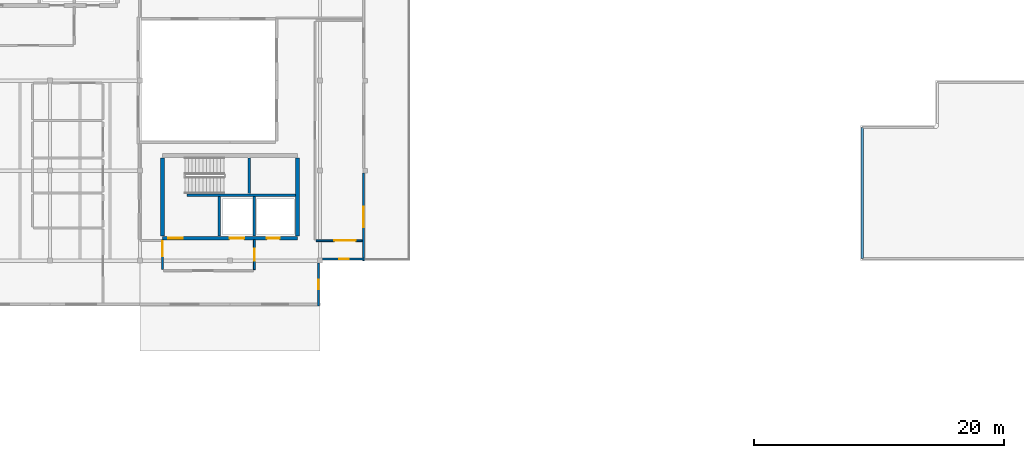
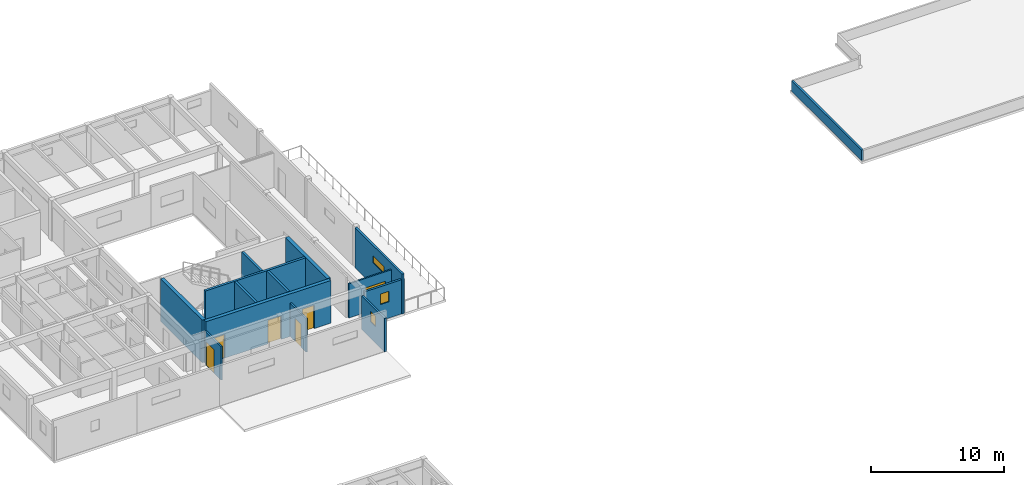
# One storey, part 4 of 12: 14 walls, 6 doors, 3 windows, 9 openings.
"""IFC4 building model written with IfcOpenShell, lengths in metres."""

from ifc_helpers import new_model, si_unit, direction, frame, frame_2d, origin, place, context, subcontext, project, spatial, rectangle, extrude, material, layer, layer_set, type_object, element, fill, save


model = new_model("IFC4")

# Units and contexts
model_context = context("Model", 3, precision=1e-05, world=origin(), true_north=direction((0.0, 1.0)))
body_context = subcontext(model_context, "Body", "Model", "MODEL_VIEW")
ifc_project = project(units=[si_unit("LENGTHUNIT", "METRE"), si_unit("AREAUNIT", "SQUARE_METRE"), si_unit("VOLUMEUNIT", "CUBIC_METRE"), si_unit("PLANEANGLEUNIT", "RADIAN"), si_unit("MASSUNIT", "GRAM", prefix="KILO")], contexts=[model_context])

# Site, building, storey
site_placement = place(None, origin())
site = spatial("IfcSite", under=ifc_project, at=site_placement, CompositionType="ELEMENT")
building_placement = place(site_placement, origin())
building = spatial("IfcBuilding", under=site, at=building_placement, Name="Bramvelor Terrace Health Centre", CompositionType="ELEMENT")
storey_placement = place(building_placement, frame((0.0, 0.0, 17.699951171875)))
storey = spatial("IfcBuildingStorey", under=building, at=storey_placement, Name="L05", CompositionType="ELEMENT", Elevation=17.699951171875)

# Wall, opening, door
ifc_material_1 = material(Name="Fire-rated gypsum and mineral wool", Category="gypsum")
ifc_layer_1 = layer(ifc_material_1, 0.139892578125)
ifc_layer_set_1 = layer_set([ifc_layer_1], Name="Fire-rated gypsum and mineral wool")
wall_type_1 = type_object("IfcWallType", Name="WL-COR-140", PredefinedType="PARTITIONING", material=ifc_layer_set_1)
wall_1_placement = place(storey_placement, frame((32.16748046875, 88.001953125, 0.0), z_axis=(0.0, 0.0, 1.0), x_axis=(-1.0, 0.0, 0.0)))
wall_1 = element("IfcWall", 1, at=wall_1_placement, inside=storey, type_object=wall_type_1, Name="L05 Interior Partition 342", PredefinedType="PARTITIONING", context=body_context, shape_type="SweptSolid", body=[
    extrude(rectangle(XDim=3.675537109375, YDim=0.139892578125, at=frame_2d((1.837890625, 0.0))), origin(), (0.0, 0.0, 1.0), 3.130126953125),
])
opening_1_placement = place(wall_1_placement, frame((0.527587890625, 0.0, 0.0)))
opening_1 = element("IfcOpeningElement", 2, at=opening_1_placement, cuts=wall_1, Name="Opening FD-04", PredefinedType="OPENING", context=body_context, shape_type="SweptSolid", body=[
    extrude(rectangle(XDim=1.719970703125, YDim=2.260009765625, at=frame_2d((0.85986328125, 1.1298828125))), frame((0.0, 0.079833984375, 0.0), z_axis=(0.0, -1.0, 0.0), x_axis=(1.0, 0.0, 0.0)), (0.0, 0.0, 1.0), 0.159912109375),
])
ifc_material_2 = material(Name="Fire-rated steel and vision panel", Category="steel")
door_type_1 = type_object("IfcDoorType", Name="DR-FD90-172", OperationType="DOUBLE_DOOR_SINGLE_SWING", PredefinedType="DOOR", material=ifc_material_2)
door_1_placement = place(opening_1_placement, origin())
door_1 = element("IfcDoor", 3, at=door_1_placement, inside=storey, type_object=door_type_1, Name="L05 Step-3 Terrace Wellness Lounge Fire Door", OperationType="DOUBLE_DOOR_SINGLE_SWING", OverallHeight=2.260009765625, OverallWidth=1.719970703125, PredefinedType="DOOR", context=body_context, shape_type="SweptSolid", body=[
    extrude(rectangle(XDim=1.719970703125, YDim=2.260009765625, at=frame_2d((0.85986328125, 1.1298828125))), frame((0.0, 0.02490234375, 0.0), z_axis=(0.0, -1.0, 0.0), x_axis=(1.0, 0.0, 0.0)), (0.0, 0.0, 1.0), 0.050048828125),
])
fill(opening_1, door_1)

# Walls
ifc_material_3 = material(Name="Concrete C40/50", Category="concrete")
ifc_layer_2 = layer(ifc_material_3, 0.199951171875)
ifc_layer_set_2 = layer_set([ifc_layer_2], Name="Concrete C40/50")
wall_type_2 = type_object("IfcWallType", Name="WL-CORE-200", PredefinedType="SHEAR", material=ifc_layer_set_2)
wall_2_placement = place(storey_placement, frame((18.14990234375, 91.64990234375, 0.0), z_axis=(0.0, 0.0, 1.0), x_axis=(1.0, 0.0, 0.0)))
element("IfcWall", 4, at=wall_2_placement, inside=storey, type_object=wall_type_2, Name="C2 L05 Core Shear Wall", PredefinedType="SHEAR", context=body_context, shape_type="SweptSolid", body=[
    extrude(rectangle(XDim=8.670166015625, YDim=0.199951171875, at=frame_2d((4.3349609375, 0.0))), origin(), (0.0, 0.0, 1.0), 3.900146484375),
])
wall_3_placement = place(storey_placement, frame((23.155029296875, 91.77001953125, 0.0), z_axis=(0.0, 0.0, 1.0), x_axis=(0.0, 1.0, 0.0)))
element("IfcWall", 5, at=wall_3_placement, inside=storey, type_object=wall_type_2, Name="C2 L05 Core Shear Wall", PredefinedType="SHEAR", context=body_context, shape_type="SweptSolid", body=[
    extrude(rectangle(XDim=2.85009765625, YDim=0.199951171875, at=frame_2d((1.425048828125, 0.0))), origin(), (0.0, 0.0, 1.0), 3.900146484375),
])
for number, where, z_axis, x_axis, name in (
    (6, (20.75, 88.3798828125, 0.0), (0.0, 0.0, 1.0), (0.0, 1.0, 0.0), "C2 L05 Core Shear Wall"),
    (7, (23.550048828125, 88.3798828125, 0.0), (0.0, 0.0, 1.0), (0.0, 1.0, 0.0), "C2 L05 Lift Divider Wall"),
):
    element("IfcWall", number, at=place(storey_placement, frame(where, z_axis=z_axis, x_axis=x_axis)), inside=storey, type_object=wall_type_2, Name=name, PredefinedType="SHEAR", context=body_context, shape_type="SweptSolid", body=[
        extrude(rectangle(XDim=3.150146484375, YDim=0.199951171875, at=frame_2d((1.5751953125, 0.0))), origin(), (0.0, 0.0, 1.0), 3.900146484375),
    ])

# Wall, openings, doors
ifc_material_4 = material(Name="Concrete C40/50", Category="concrete")
ifc_layer_3 = layer(ifc_material_4, 0.300048828125)
ifc_layer_set_3 = layer_set([ifc_layer_3], Name="Concrete C40/50")
wall_type_3 = type_object("IfcWallType", Name="WL-CORE-300", PredefinedType="SHEAR", material=ifc_layer_set_3)
wall_4_placement = place(storey_placement, frame((16.199951171875, 88.199951171875, 0.0), z_axis=(0.0, 0.0, 1.0), x_axis=(1.0, 0.0, 0.0)))
wall_4 = element("IfcWall", 8, at=wall_4_placement, inside=storey, type_object=wall_type_3, Name="C2 L05 Core Shear Wall", PredefinedType="SHEAR", context=body_context, shape_type="SweptSolid", body=[
    extrude(rectangle(XDim=10.800048828125, YDim=0.300048828125, at=frame_2d((5.39990234375, 0.0))), origin(), (0.0, 0.0, 1.0), 3.900146484375),
])
opening_2_placement = place(wall_4_placement, frame((0.449951171875, 0.0, 0.0)))
opening_2 = element("IfcOpeningElement", 9, at=opening_2_placement, cuts=wall_4, Name="Opening FD-02", PredefinedType="OPENING", context=body_context, shape_type="SweptSolid", body=[
    extrude(rectangle(XDim=1.179931640625, YDim=2.159912109375, at=frame_2d((0.58984375, 1.080078125))), frame((0.0, 0.159912109375, 0.0), z_axis=(0.0, -1.0, 0.0), x_axis=(1.0, 0.0, 0.0)), (0.0, 0.0, 1.0), 0.320068359375),
])
opening_3_placement = place(wall_4_placement, frame((5.375, 0.0, 0.0)))
opening_3 = element("IfcOpeningElement", 10, at=opening_3_placement, cuts=wall_4, Name="Opening LD-1", PredefinedType="OPENING", context=body_context, shape_type="SweptSolid", body=[
    extrude(rectangle(XDim=1.14990234375, YDim=2.14990234375, at=frame_2d((0.574951171875, 1.074951171875))), frame((0.0, 0.159912109375, 0.0), z_axis=(0.0, -1.0, 0.0), x_axis=(1.0, 0.0, 0.0)), (0.0, 0.0, 1.0), 0.320068359375),
])
opening_4_placement = place(wall_4_placement, frame((8.340087890625, 0.0, 0.0)))
opening_4 = element("IfcOpeningElement", 11, at=opening_4_placement, cuts=wall_4, Name="Opening LD-2", PredefinedType="OPENING", context=body_context, shape_type="SweptSolid", body=[
    extrude(rectangle(XDim=1.02001953125, YDim=2.1201171875, at=frame_2d((0.510009765625, 1.06005859375))), frame((0.0, 0.159912109375, 0.0), z_axis=(0.0, -1.0, 0.0), x_axis=(1.0, 0.0, 0.0)), (0.0, 0.0, 1.0), 0.320068359375),
])
ifc_material_5 = material(Name="Fire-rated steel and vision panel", Category="steel")
door_type_2 = type_object("IfcDoorType", Name="DR-FD90-118", OperationType="NOTDEFINED", PredefinedType="DOOR", material=ifc_material_5)
door_2_placement = place(opening_2_placement, origin())
door_2 = element("IfcDoor", 12, at=door_2_placement, inside=storey, type_object=door_type_2, Name="C2 L05 Core Stair Fire Door", OperationType="SINGLE_SWING_LEFT", OverallHeight=2.159912109375, OverallWidth=1.179931640625, PredefinedType="DOOR", context=body_context, shape_type="SweptSolid", body=[
    extrude(rectangle(XDim=1.179931640625, YDim=2.159912109375, at=frame_2d((0.58984375, 1.080078125))), frame((0.0, 0.02490234375, 0.0), z_axis=(0.0, -1.0, 0.0), x_axis=(1.0, 0.0, 0.0)), (0.0, 0.0, 1.0), 0.050048828125),
])
fill(opening_2, door_2)
ifc_material_6 = material(Name="Brushed stainless steel 316", Category="steel")
door_type_3 = type_object("IfcDoorType", Name="DR-LIFT-FF115", OperationType="DOUBLE_DOOR_SLIDING", PredefinedType="DOOR", material=ifc_material_6)
door_3_placement = place(opening_3_placement, origin())
door_3 = element("IfcDoor", 13, at=door_3_placement, inside=storey, type_object=door_type_3, Name="Lift LF-02 L05 Sliding Landing Door", OperationType="DOUBLE_DOOR_SLIDING", OverallHeight=2.14990234375, OverallWidth=1.14990234375, PredefinedType="DOOR", context=body_context, shape_type="SweptSolid", body=[
    extrude(rectangle(XDim=1.14990234375, YDim=2.14990234375, at=frame_2d((0.574951171875, 1.074951171875))), frame((0.0, 0.02490234375, 0.0), z_axis=(0.0, -1.0, 0.0), x_axis=(1.0, 0.0, 0.0)), (0.0, 0.0, 1.0), 0.050048828125),
])
fill(opening_3, door_3)
ifc_material_7 = material(Name="Brushed stainless steel 316", Category="steel")
door_type_4 = type_object("IfcDoorType", Name="DR-LIFT-PS102", OperationType="SLIDING_TO_LEFT", PredefinedType="DOOR", material=ifc_material_7)
door_4_placement = place(opening_4_placement, origin())
door_4 = element("IfcDoor", 14, at=door_4_placement, inside=storey, type_object=door_type_4, Name="Lift LP-02 L05 Sliding Landing Door", OperationType="SLIDING_TO_LEFT", OverallHeight=2.1201171875, OverallWidth=1.02001953125, PredefinedType="DOOR", context=body_context, shape_type="SweptSolid", body=[
    extrude(rectangle(XDim=1.02001953125, YDim=2.1201171875, at=frame_2d((0.510009765625, 1.06005859375))), frame((0.0, 0.02490234375, 0.0), z_axis=(0.0, -1.0, 0.0), x_axis=(1.0, 0.0, 0.0)), (0.0, 0.0, 1.0), 0.050048828125),
])
fill(opening_4, door_4)

# Walls
for number, where, z_axis, x_axis, name in (
    (15, (16.199951171875, 88.3798828125, 0.0), (0.0, 0.0, 1.0), (0.0, 1.0, 0.0), "C2 L05 Core Shear Wall"),
    (16, (27.0, 88.3798828125, 0.0), (0.0, 0.0, 1.0), (0.0, 1.0, 0.0), "C2 L05 Core Shear Wall"),
):
    element("IfcWall", number, at=place(storey_placement, frame(where, z_axis=z_axis, x_axis=x_axis)), inside=storey, type_object=wall_type_3, Name=name, PredefinedType="SHEAR", context=body_context, shape_type="SweptSolid", body=[
        extrude(rectangle(XDim=6.240234375, YDim=0.300048828125, at=frame_2d((3.1201171875, 0.0))), origin(), (0.0, 0.0, 1.0), 3.900146484375),
    ])

# Wall, opening, window
ifc_material_8 = material(Name="Cross-laminated timber C24", Category="wood")
ifc_layer_4 = layer(ifc_material_8, 0.18505859375)
ifc_layer_set_4 = layer_set([ifc_layer_4], Name="Cross-laminated timber C24")
wall_type_4 = type_object("IfcWallType", Name="WL-EXT-CLT185", PredefinedType="SOLIDWALL", material=ifc_layer_set_4)
wall_5_placement = place(storey_placement, frame((32.27001953125, 93.425048828125, 0.0), z_axis=(0.0, 0.0, 1.0), x_axis=(0.0, -1.0, 0.0)))
wall_5 = element("IfcWall", 17, at=wall_5_placement, inside=storey, type_object=wall_type_4, Name="L05 Exterior Facade Wall 24", PredefinedType="SOLIDWALL", context=body_context, shape_type="SweptSolid", body=[
    extrude(rectangle(XDim=7.045166015625, YDim=0.18505859375, at=frame_2d((3.5224609375, 0.0))), origin(), (0.0, 0.0, 1.0), 3.670166015625),
])
opening_5_placement = place(wall_5_placement, frame((2.697509765625, 0.0, 2.10009765625)))
opening_5 = element("IfcOpeningElement", 18, at=opening_5_placement, cuts=wall_5, Name="Opening WN-07", PredefinedType="OPENING", context=body_context, shape_type="SweptSolid", body=[
    extrude(rectangle(XDim=1.64990234375, YDim=0.64990234375, at=frame_2d((0.824951171875, 0.324951171875))), frame((0.0, 0.1025390625, 0.0), z_axis=(0.0, -1.0, 0.0), x_axis=(1.0, 0.0, 0.0)), (0.0, 0.0, 1.0), 0.205078125),
])
ifc_material_9 = material(Name="Double low-E laminated glass", Category="glass")
window_type_1 = type_object("IfcWindowType", Name="WIN-EXT-07", PartitioningType="SINGLE_PANEL", PredefinedType="WINDOW", material=ifc_material_9)
window_1_placement = place(opening_5_placement, origin())
window_1 = element("IfcWindow", 19, at=window_1_placement, inside=storey, type_object=window_type_1, Name="L05 Scheduled Clinical Window 247", OverallHeight=0.64990234375, OverallWidth=1.64990234375, PartitioningType="SINGLE_PANEL", PredefinedType="WINDOW", context=body_context, shape_type="SweptSolid", body=[
    extrude(rectangle(XDim=1.64990234375, YDim=0.64990234375, at=frame_2d((0.824951171875, 0.324951171875))), frame((0.0, 0.030029296875, 0.0), z_axis=(0.0, -1.0, 0.0), x_axis=(1.0, 0.0, 0.0)), (0.0, 0.0, 1.0), 0.06005859375),
])
fill(opening_5, window_1)

wall_6_placement = place(storey_placement, frame((32.43994140625, 86.530029296875, 0.0), z_axis=(0.0, 0.0, 1.0), x_axis=(-1.0, 0.0, 0.0)))
wall_6 = element("IfcWall", 20, at=wall_6_placement, inside=storey, type_object=wall_type_4, Name="L05 Exterior Facade Wall 25", PredefinedType="SOLIDWALL", context=body_context, shape_type="SweptSolid", body=[
    extrude(rectangle(XDim=3.44482421875, YDim=0.18505859375, at=frame_2d((1.722412109375, 0.0))), origin(), (0.0, 0.0, 1.0), 3.130126953125),
])
opening_6_placement = place(wall_6_placement, frame((1.347412109375, 0.0, 1.5)))
opening_6 = element("IfcOpeningElement", 21, at=opening_6_placement, cuts=wall_6, Name="Opening WN-13", PredefinedType="OPENING", context=body_context, shape_type="SweptSolid", body=[
    extrude(rectangle(XDim=0.75, YDim=0.949951171875, at=frame_2d((0.375, 0.47509765625))), frame((0.0, 0.1025390625, 0.0), z_axis=(0.0, -1.0, 0.0), x_axis=(1.0, 0.0, 0.0)), (0.0, 0.0, 1.0), 0.205078125),
])
ifc_material_10 = material(Name="Double low-E laminated glass", Category="glass")
window_type_2 = type_object("IfcWindowType", Name="WIN-EXT-13", PartitioningType="SINGLE_PANEL", PredefinedType="WINDOW", material=ifc_material_10)
window_2_placement = place(opening_6_placement, origin())
window_2 = element("IfcWindow", 22, at=window_2_placement, inside=storey, type_object=window_type_2, Name="L05 Scheduled Clinical Window 248", OverallHeight=0.949951171875, OverallWidth=0.75, PartitioningType="SINGLE_PANEL", PredefinedType="WINDOW", context=body_context, shape_type="SweptSolid", body=[
    extrude(rectangle(XDim=0.75, YDim=0.949951171875, at=frame_2d((0.375, 0.47509765625))), frame((0.0, 0.030029296875, 0.0), z_axis=(0.0, -1.0, 0.0), x_axis=(1.0, 0.0, 0.0)), (0.0, 0.0, 1.0), 0.06005859375),
])
fill(opening_6, window_2)

wall_7_placement = place(storey_placement, frame((28.669921875, 86.205078125, 0.0), z_axis=(0.0, 0.0, 1.0), x_axis=(0.0, -1.0, 0.0)))
wall_7 = element("IfcWall", 23, at=wall_7_placement, inside=storey, type_object=wall_type_4, Name="L05 Exterior Facade Wall 26", PredefinedType="SOLIDWALL", context=body_context, shape_type="SweptSolid", body=[
    extrude(rectangle(XDim=3.425048828125, YDim=0.18505859375, at=frame_2d((1.71240234375, 0.0))), origin(), (0.0, 0.0, 1.0), 3.050048828125),
])
opening_7_placement = place(wall_7_placement, frame((1.33740234375, 0.0, 1.5)))
opening_7 = element("IfcOpeningElement", 24, at=opening_7_placement, cuts=wall_7, Name="Opening WN-13", PredefinedType="OPENING", context=body_context, shape_type="SweptSolid", body=[
    extrude(rectangle(XDim=0.75, YDim=0.949951171875, at=frame_2d((0.375, 0.47509765625))), frame((0.0, 0.1025390625, 0.0), z_axis=(0.0, -1.0, 0.0), x_axis=(1.0, 0.0, 0.0)), (0.0, 0.0, 1.0), 0.205078125),
])
window_3_placement = place(opening_7_placement, origin())
window_3 = element("IfcWindow", 25, at=window_3_placement, inside=storey, type_object=window_type_2, Name="L05 Scheduled Clinical Window 249", OverallHeight=0.949951171875, OverallWidth=0.75, PartitioningType="SINGLE_PANEL", PredefinedType="WINDOW", context=body_context, shape_type="SweptSolid", body=[
    extrude(rectangle(XDim=0.75, YDim=0.949951171875, at=frame_2d((0.375, 0.47509765625))), frame((0.0, 0.030029296875, 0.0), z_axis=(0.0, -1.0, 0.0), x_axis=(1.0, 0.0, 0.0)), (0.0, 0.0, 1.0), 0.06005859375),
])
fill(opening_7, window_3)

# Wall, opening, door
ifc_material_11 = material(Name="Fire-rated gypsum and mineral wool", Category="gypsum")
ifc_layer_5 = layer(ifc_material_11, 0.14990234375)
ifc_layer_set_5 = layer_set([ifc_layer_5], Name="Fire-rated gypsum and mineral wool")
wall_type_5 = type_object("IfcWallType", Name="WL-FIR-150", PredefinedType="PARTITIONING", material=ifc_layer_set_5)
wall_8_placement = place(storey_placement, frame((16.199951171875, 85.68994140625, 0.0), z_axis=(0.0, 0.0, 1.0), x_axis=(0.0, 1.0, 0.0)))
wall_8 = element("IfcWall", 26, at=wall_8_placement, inside=storey, type_object=wall_type_5, Name="L05 Interior Partition 323", PredefinedType="PARTITIONING", context=body_context, shape_type="SweptSolid", body=[
    extrude(rectangle(XDim=2.4150390625, YDim=0.14990234375, at=frame_2d((1.20751953125, 0.0))), origin(), (0.0, 0.0, 1.0), 3.050048828125),
])
opening_8_placement = place(wall_8_placement, frame((1.0673828125, 0.0, 0.0)))
opening_8 = element("IfcOpeningElement", 27, at=opening_8_placement, cuts=wall_8, Name="Opening FD-02", PredefinedType="OPENING", context=body_context, shape_type="SweptSolid", body=[
    extrude(rectangle(XDim=1.179931640625, YDim=2.159912109375, at=frame_2d((0.58984375, 1.080078125))), frame((0.0, 0.0849609375, 0.0), z_axis=(0.0, -1.0, 0.0), x_axis=(1.0, 0.0, 0.0)), (0.0, 0.0, 1.0), 0.169921875),
])
door_5_placement = place(opening_8_placement, origin())
door_5 = element("IfcDoor", 28, at=door_5_placement, inside=storey, type_object=door_type_2, Name="L05 Fire Compartment Lobby Door 134", OperationType="SINGLE_SWING_RIGHT", OverallHeight=2.159912109375, OverallWidth=1.179931640625, PredefinedType="DOOR", context=body_context, shape_type="SweptSolid", body=[
    extrude(rectangle(XDim=1.179931640625, YDim=2.159912109375, at=frame_2d((0.58984375, 1.080078125))), frame((0.0, 0.02490234375, 0.0), z_axis=(0.0, -1.0, 0.0), x_axis=(1.0, 0.0, 0.0)), (0.0, 0.0, 1.0), 0.050048828125),
])
fill(opening_8, door_5)

wall_9_placement = place(storey_placement, frame((23.550048828125, 88.083251953125, 0.0), z_axis=(0.0, 0.0, 1.0), x_axis=(0.0, -1.0, 0.0)))
wall_9 = element("IfcWall", 29, at=wall_9_placement, inside=storey, type_object=wall_type_5, Name="L05 Interior Partition 324", PredefinedType="PARTITIONING", context=body_context, shape_type="SweptSolid", body=[
    extrude(rectangle(XDim=2.393310546875, YDim=0.14990234375, at=frame_2d((1.19677734375, 0.0))), origin(), (0.0, 0.0, 1.0), 3.050048828125),
])
opening_9_placement = place(wall_9_placement, frame((0.7265625, 0.0, 0.0)))
opening_9 = element("IfcOpeningElement", 30, at=opening_9_placement, cuts=wall_9, Name="Opening FD-08", PredefinedType="OPENING", context=body_context, shape_type="SweptSolid", body=[
    extrude(rectangle(XDim=0.93994140625, YDim=2.10009765625, at=frame_2d((0.469970703125, 1.050048828125))), frame((0.0, 0.0849609375, 0.0), z_axis=(0.0, -1.0, 0.0), x_axis=(1.0, 0.0, 0.0)), (0.0, 0.0, 1.0), 0.169921875),
])
ifc_material_12 = material(Name="Fire-rated steel and vision panel", Category="steel")
door_type_5 = type_object("IfcDoorType", Name="DR-FD60-094", OperationType="NOTDEFINED", PredefinedType="DOOR", material=ifc_material_12)
door_6_placement = place(opening_9_placement, origin())
door_6 = element("IfcDoor", 31, at=door_6_placement, inside=storey, type_object=door_type_5, Name="L05 Fire Compartment Lobby Door 135", OperationType="SINGLE_SWING_LEFT", OverallHeight=2.10009765625, OverallWidth=0.93994140625, PredefinedType="DOOR", context=body_context, shape_type="SweptSolid", body=[
    extrude(rectangle(XDim=0.93994140625, YDim=2.10009765625, at=frame_2d((0.469970703125, 1.050048828125))), frame((0.0, 0.02490234375, 0.0), z_axis=(0.0, -1.0, 0.0), x_axis=(1.0, 0.0, 0.0)), (0.0, 0.0, 1.0), 0.050048828125),
])
fill(opening_9, door_6)

# Wall
ifc_material_13 = material(Name="Precast concrete C40/50", Category="concrete")
ifc_layer_6 = layer(ifc_material_13, 0.175048828125)
ifc_layer_set_6 = layer_set([ifc_layer_6], Name="Precast concrete C40/50")
wall_type_6 = type_object("IfcWallType", Name="WL-PAR-175", PredefinedType="PARAPET", material=ifc_layer_set_6)
wall_10_placement = place(storey_placement, frame((72.139892578125, 86.56005859375, 0.0), z_axis=(0.0, 0.0, 1.0), x_axis=(0.0, 1.0, 0.0)))
element("IfcWall", 32, at=wall_10_placement, inside=storey, type_object=wall_type_6, Name="L05 Roof Parapet Upstand 34", PredefinedType="PARAPET", context=body_context, shape_type="SweptSolid", body=[
    extrude(rectangle(XDim=10.47998046875, YDim=0.175048828125, at=frame_2d((5.239990234375, 0.0))), origin(), (0.0, 0.0, 1.0), 0.949951171875),
])

save(model, "model.ifc")
